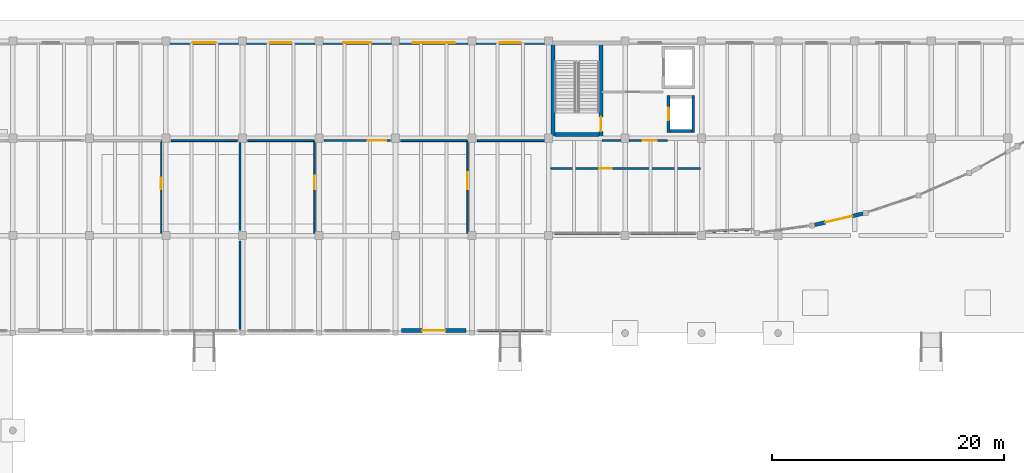
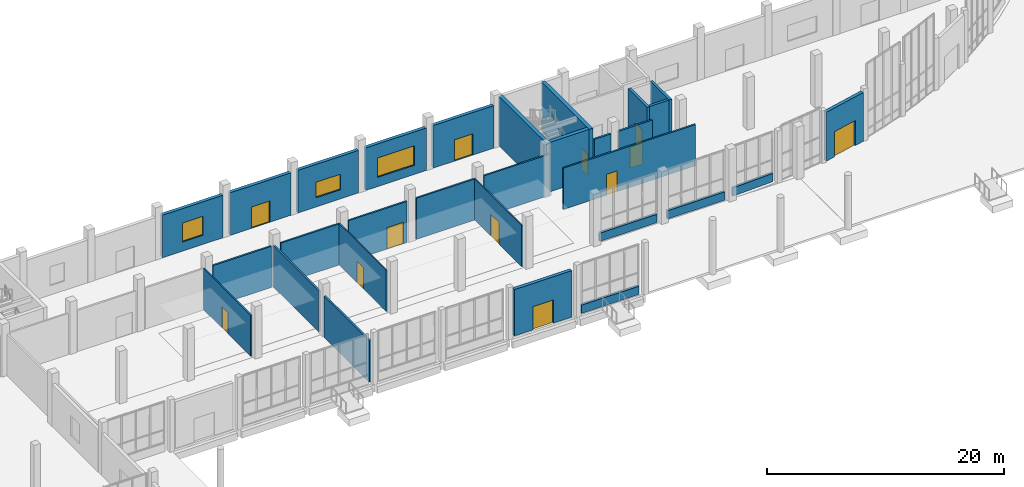
# One storey, part 44 of 64: 30 walls, 12 doors, 3 windows, 15 openings.
"""IFC4 building model written with IfcOpenShell, lengths in metres."""

from ifc_helpers import new_model, si_unit, direction, frame, frame_2d, origin, place, context, subcontext, project, spatial, rectangle, extrude, material, layer, layer_set, type_object, element, fill, save


model = new_model("IFC4")

# Units and contexts
model_context = context("Model", 3, precision=1e-05, world=origin(), true_north=direction((0.0, 1.0)))
body_context = subcontext(model_context, "Body", "Model", "MODEL_VIEW")
ifc_project = project(units=[si_unit("LENGTHUNIT", "METRE"), si_unit("AREAUNIT", "SQUARE_METRE"), si_unit("VOLUMEUNIT", "CUBIC_METRE"), si_unit("PLANEANGLEUNIT", "RADIAN"), si_unit("MASSUNIT", "GRAM", prefix="KILO")], contexts=[model_context])

# Site, building, storey
site_placement = place(None, origin())
site = spatial("IfcSite", under=ifc_project, at=site_placement, CompositionType="ELEMENT")
building_placement = place(site_placement, origin())
building = spatial("IfcBuilding", under=site, at=building_placement, Name="Qaldarim Faculty of Natural and Applied Sciences", CompositionType="ELEMENT")
storey_placement = place(building_placement, origin())
storey = spatial("IfcBuildingStorey", under=building, at=storey_placement, Name="L00", CompositionType="ELEMENT", Elevation=0.0)

# Wall, opening, door
ifc_material_1 = material(Name="Painted gypsum partition board")
ifc_layer_1 = layer(ifc_material_1, 0.1201171875)
ifc_layer_set_1 = layer_set([ifc_layer_1], Name="Painted gypsum partition board")
wall_type_1 = type_object("IfcWallType", Name="AcousticPartition-120", PredefinedType="PARTITIONING", material=ifc_layer_set_1)
wall_1_placement = place(storey_placement, frame((65.60009765625, 101.0, 0.0), z_axis=(0.0, 0.0, 1.0), x_axis=(0.0, 1.0, 0.0)))
wall_1 = element("IfcWall", 1, at=wall_1_placement, inside=storey, type_object=wall_type_1, Name="Interior partition PRT-L00-V4-SUB-1", PredefinedType="PARTITIONING", context=body_context, shape_type="SweptSolid", body=[
    extrude(rectangle(XDim=8.0, YDim=0.1201171875, at=frame_2d((4.0, 0.0))), origin(), (0.0, 0.0, 1.0), 4.25),
])
opening_1_placement = place(wall_1_placement, frame((3.800048828125, 0.0, 0.0)))
opening_1 = element("IfcOpeningElement", 2, at=opening_1_placement, cuts=wall_1, Name="Opening ID08", PredefinedType="OPENING", context=body_context, shape_type="SweptSolid", body=[
    extrude(rectangle(XDim=1.0, YDim=2.199951171875, at=frame_2d((0.5, 1.10009765625))), frame((0.0, 0.070068359375, 0.0), z_axis=(0.0, -1.0, 0.0), x_axis=(1.0, 0.0, 0.0)), (0.0, 0.0, 1.0), 0.14013671875),
])
ifc_material_2 = material(Name="Oak hardwood", Category="wood")
door_type_1 = type_object("IfcDoorType", Name="SeminarRoomDoor-1000x2200", OperationType="NOTDEFINED", PredefinedType="DOOR", material=ifc_material_2)
door_1_placement = place(opening_1_placement, origin())
door_1 = element("IfcDoor", 3, at=door_1_placement, inside=storey, type_object=door_type_1, Name="Interior door D-L00-308", OperationType="SINGLE_SWING_LEFT", OverallHeight=2.199951171875, OverallWidth=1.0, PredefinedType="DOOR", context=body_context, shape_type="SweptSolid", body=[
    extrude(rectangle(XDim=1.0, YDim=2.199951171875, at=frame_2d((0.5, 1.10009765625))), frame((0.0, 0.02490234375, 0.0), z_axis=(0.0, -1.0, 0.0), x_axis=(1.0, 0.0, 0.0)), (0.0, 0.0, 1.0), 0.050048828125),
])
fill(opening_1, door_1)

wall_2_placement = place(storey_placement, frame((78.800048828125, 101.0, 0.0), z_axis=(0.0, 0.0, 1.0), x_axis=(0.0, 1.0, 0.0)))
wall_2 = element("IfcWall", 4, at=wall_2_placement, inside=storey, type_object=wall_type_1, Name="Interior partition PRT-L00-V4-SUB-2", PredefinedType="PARTITIONING", context=body_context, shape_type="SweptSolid", body=[
    extrude(rectangle(XDim=8.0, YDim=0.1201171875, at=frame_2d((4.0, 0.0))), origin(), (0.0, 0.0, 1.0), 4.25),
])
opening_2_placement = place(wall_2_placement, frame((3.800048828125, 0.0, 0.0)))
opening_2 = element("IfcOpeningElement", 5, at=opening_2_placement, cuts=wall_2, Name="Opening ID09", PredefinedType="OPENING", context=body_context, shape_type="SweptSolid", body=[
    extrude(rectangle(XDim=1.14990234375, YDim=2.199951171875, at=frame_2d((0.574951171875, 1.10009765625))), frame((0.0, 0.070068359375, 0.0), z_axis=(0.0, -1.0, 0.0), x_axis=(1.0, 0.0, 0.0)), (0.0, 0.0, 1.0), 0.14013671875),
])
ifc_material_3 = material(Name="Architectural stainless steel 316", Category="steel")
door_type_2 = type_object("IfcDoorType", Name="CleanroomAirlockDoor-1150x2200", OperationType="NOTDEFINED", PredefinedType="DOOR", material=ifc_material_3)
door_2_placement = place(opening_2_placement, origin())
door_2 = element("IfcDoor", 6, at=door_2_placement, inside=storey, type_object=door_type_2, Name="Interior door D-L00-309", OperationType="SINGLE_SWING_LEFT", OverallHeight=2.199951171875, OverallWidth=1.14990234375, PredefinedType="DOOR", context=body_context, shape_type="SweptSolid", body=[
    extrude(rectangle(XDim=1.14990234375, YDim=2.199951171875, at=frame_2d((0.574951171875, 1.10009765625))), frame((0.0, 0.02490234375, 0.0), z_axis=(0.0, -1.0, 0.0), x_axis=(1.0, 0.0, 0.0)), (0.0, 0.0, 1.0), 0.050048828125),
])
fill(opening_2, door_2)

wall_3_placement = place(storey_placement, frame((92.0, 101.0, 0.0), z_axis=(0.0, 0.0, 1.0), x_axis=(0.0, 1.0, 0.0)))
wall_3 = element("IfcWall", 7, at=wall_3_placement, inside=storey, type_object=wall_type_1, Name="Interior partition PRT-L00-V4-SUB-3", PredefinedType="PARTITIONING", context=body_context, shape_type="SweptSolid", body=[
    extrude(rectangle(XDim=8.0, YDim=0.1201171875, at=frame_2d((4.0, 0.0))), origin(), (0.0, 0.0, 1.0), 4.25),
])
opening_3_placement = place(wall_3_placement, frame((3.800048828125, 0.0, 0.0)))
opening_3 = element("IfcOpeningElement", 8, at=opening_3_placement, cuts=wall_3, Name="Opening ID11", PredefinedType="OPENING", context=body_context, shape_type="SweptSolid", body=[
    extrude(rectangle(XDim=1.449951171875, YDim=2.25, at=frame_2d((0.72509765625, 1.125))), frame((0.0, 0.070068359375, 0.0), z_axis=(0.0, -1.0, 0.0), x_axis=(1.0, 0.0, 0.0)), (0.0, 0.0, 1.0), 0.14013671875),
])
door_type_3 = type_object("IfcDoorType", Name="InstrumentSuiteDoor-1450x2250", OperationType="NOTDEFINED", PredefinedType="DOOR", material=ifc_material_3)
door_3_placement = place(opening_3_placement, origin())
door_3 = element("IfcDoor", 9, at=door_3_placement, inside=storey, type_object=door_type_3, Name="Interior door D-L00-310", OperationType="SINGLE_SWING_LEFT", OverallHeight=2.25, OverallWidth=1.449951171875, PredefinedType="DOOR", context=body_context, shape_type="SweptSolid", body=[
    extrude(rectangle(XDim=1.449951171875, YDim=2.25, at=frame_2d((0.72509765625, 1.125))), frame((0.0, 0.02490234375, 0.0), z_axis=(0.0, -1.0, 0.0), x_axis=(1.0, 0.0, 0.0)), (0.0, 0.0, 1.0), 0.050048828125),
])
fill(opening_3, door_3)

# Wall
ifc_material_4 = material(Name="Concrete C50/60", Category="concrete")
ifc_layer_2 = layer(ifc_material_4, 0.360107421875)
ifc_layer_set_2 = layer_set([ifc_layer_2], Name="Concrete C50/60")
wall_type_2 = type_object("IfcWallType", Name="CoreShearWall-360", PredefinedType="SHEAR", material=ifc_layer_set_2)
wall_4_placement = place(storey_placement, frame((99.3701171875, 109.340087890625, 0.0), z_axis=(0.0, 0.0, 1.0), x_axis=(0.0, 1.0, 0.0)))
element("IfcWall", 10, at=wall_4_placement, inside=storey, type_object=wall_type_2, Name="Core stair ST-B1 west shear wall L00", PredefinedType="SHEAR", context=body_context, shape_type="SweptSolid", body=[
    extrude(rectangle(XDim=8.08984375, YDim=0.360107421875, at=frame_2d((4.044921875, 0.0))), origin(), (0.0, 0.0, 1.0), 5.10009765625),
])

# Wall, opening, door
wall_5_placement = place(storey_placement, frame((103.530029296875, 109.340087890625, 0.0), z_axis=(0.0, 0.0, 1.0), x_axis=(0.0, 1.0, 0.0)))
wall_5 = element("IfcWall", 11, at=wall_5_placement, inside=storey, type_object=wall_type_2, Name="Core stair ST-B1 east shear wall L00", PredefinedType="SHEAR", context=body_context, shape_type="SweptSolid", body=[
    extrude(rectangle(XDim=8.08984375, YDim=0.360107421875, at=frame_2d((4.044921875, 0.0))), origin(), (0.0, 0.0, 1.0), 5.10009765625),
])
opening_4_placement = place(wall_5_placement, frame((0.449951171875, 0.0, 0.0)))
opening_4 = element("IfcOpeningElement", 12, at=opening_4_placement, cuts=wall_5, Name="Opening ID04", PredefinedType="OPENING", context=body_context, shape_type="SweptSolid", body=[
    extrude(rectangle(XDim=1.25, YDim=2.14990234375, at=frame_2d((0.625, 1.074951171875))), frame((0.0, 0.18994140625, 0.0), z_axis=(0.0, -1.0, 0.0), x_axis=(1.0, 0.0, 0.0)), (0.0, 0.0, 1.0), 0.380126953125),
])
door_type_4 = type_object("IfcDoorType", Name="StairEnclosureFireDoor-1250x2150", OperationType="NOTDEFINED", PredefinedType="DOOR", material=ifc_material_3)
door_4_placement = place(opening_4_placement, origin())
door_4 = element("IfcDoor", 13, at=door_4_placement, inside=storey, type_object=door_type_4, Name="Protected stair ST-B1 fire door D-L00-527", OperationType="SINGLE_SWING_RIGHT", OverallHeight=2.14990234375, OverallWidth=1.25, PredefinedType="DOOR", context=body_context, shape_type="SweptSolid", body=[
    extrude(rectangle(XDim=1.25, YDim=2.14990234375, at=frame_2d((0.625, 1.074951171875))), frame((0.0, 0.02490234375, 0.0), z_axis=(0.0, -1.0, 0.0), x_axis=(1.0, 0.0, 0.0)), (0.0, 0.0, 1.0), 0.050048828125),
])
fill(opening_4, door_4)

# Wall
wall_6_placement = place(storey_placement, frame((99.550048828125, 109.52001953125, 0.0), z_axis=(0.0, 0.0, 1.0), x_axis=(1.0, 0.0, 0.0)))
element("IfcWall", 14, at=wall_6_placement, inside=storey, type_object=wall_type_2, Name="Core stair ST-B1 south shear wall L00", PredefinedType="SHEAR", context=body_context, shape_type="SweptSolid", body=[
    extrude(rectangle(XDim=3.800048828125, YDim=0.360107421875, at=frame_2d((1.89990234375, 0.0))), origin(), (0.0, 0.0, 1.0), 5.10009765625),
])

# Wall, opening, window
ifc_material_5 = material(Name="Precast concrete C40/50", Category="concrete")
ifc_layer_3 = layer(ifc_material_5, 0.320068359375)
ifc_layer_set_3 = layer_set([ifc_layer_3], Name="Precast concrete C40/50")
wall_type_3 = type_object("IfcWallType", Name="ExteriorLimestoneWall-320", PredefinedType="SOLIDWALL", material=ifc_layer_set_3)
wall_7_placement = place(storey_placement, frame((72.2548828125, 117.43994140625, 0.0), z_axis=(0.0, 0.0, 1.0), x_axis=(-1.0, 0.0, 0.0)))
wall_7 = element("IfcWall", 15, at=wall_7_placement, inside=storey, type_object=wall_type_3, Name="Exterior wall EW01 L00 N X11Y14", PredefinedType="SOLIDWALL", context=body_context, shape_type="SweptSolid", body=[
    extrude(rectangle(XDim=5.909912109375, YDim=0.320068359375, at=frame_2d((2.955078125, 0.0))), origin(), (0.0, 0.0, 1.0), 4.385009765625),
])
opening_5_placement = place(wall_7_placement, frame((1.955078125, 0.0, 0.949951171875)))
opening_5 = element("IfcOpeningElement", 16, at=opening_5_placement, cuts=wall_7, Name="Opening WN27", PredefinedType="OPENING", context=body_context, shape_type="SweptSolid", body=[
    extrude(rectangle(XDim=2.0, YDim=1.949951171875, at=frame_2d((1.0, 0.97509765625))), frame((0.0, 0.169921875, 0.0), z_axis=(0.0, -1.0, 0.0), x_axis=(1.0, 0.0, 0.0)), (0.0, 0.0, 1.0), 0.340087890625),
])
ifc_material_6 = material(Name="Insulated low-e double glazing", Category="glass")
window_type_1 = type_object("IfcWindowType", Name="GalleryWindow-2000x1950", PartitioningType="DOUBLE_PANEL_VERTICAL", PredefinedType="WINDOW", material=ifc_material_6)
window_1_placement = place(opening_5_placement, origin())
window_1 = element("IfcWindow", 17, at=window_1_placement, inside=storey, type_object=window_type_1, Name="Facade window WN27 L00 N X11Y14", OverallHeight=1.949951171875, OverallWidth=2.0, PartitioningType="SINGLE_PANEL", PredefinedType="WINDOW", context=body_context, shape_type="SweptSolid", body=[
    extrude(rectangle(XDim=2.0, YDim=1.949951171875, at=frame_2d((1.0, 0.97509765625))), frame((0.0, 0.030029296875, 0.0), z_axis=(0.0, -1.0, 0.0), x_axis=(1.0, 0.0, 0.0)), (0.0, 0.0, 1.0), 0.06005859375),
])
fill(opening_5, window_1)

# Wall, opening, door
wall_8_placement = place(storey_placement, frame((78.85498046875, 117.43994140625, 0.0), z_axis=(0.0, 0.0, 1.0), x_axis=(-1.0, 0.0, 0.0)))
wall_8 = element("IfcWall", 18, at=wall_8_placement, inside=storey, type_object=wall_type_3, Name="Exterior wall EW01 L00 N X12Y14", PredefinedType="SOLIDWALL", context=body_context, shape_type="SweptSolid", body=[
    extrude(rectangle(XDim=5.909912109375, YDim=0.320068359375, at=frame_2d((2.955078125, 0.0))), origin(), (0.0, 0.0, 1.0), 4.385009765625),
])
opening_6_placement = place(wall_8_placement, frame((2.054931640625, 0.0, 0.0)))
opening_6 = element("IfcOpeningElement", 19, at=opening_6_placement, cuts=wall_8, Name="Opening ED04", PredefinedType="OPENING", context=body_context, shape_type="SweptSolid", body=[
    extrude(rectangle(XDim=1.800048828125, YDim=2.199951171875, at=frame_2d((0.89990234375, 1.10009765625))), frame((0.0, 0.169921875, 0.0), z_axis=(0.0, -1.0, 0.0), x_axis=(1.0, 0.0, 0.0)), (0.0, 0.0, 1.0), 0.340087890625),
])
door_type_5 = type_object("IfcDoorType", Name="FinalExitDoubleDoor-1800x2200", OperationType="NOTDEFINED", PredefinedType="DOOR", material=ifc_material_3)
door_5_placement = place(opening_6_placement, frame((1.800048828125, 0.0, 0.0), z_axis=(0.0, 0.0, 1.0), x_axis=(-1.0, 0.0, 0.0)))
door_5 = element("IfcDoor", 20, at=door_5_placement, inside=storey, type_object=door_type_5, Name="Exterior entrance/exit door D-L00-013", OperationType="DOUBLE_DOOR_SINGLE_SWING", OverallHeight=2.199951171875, OverallWidth=1.800048828125, PredefinedType="DOOR", context=body_context, shape_type="SweptSolid", body=[
    extrude(rectangle(XDim=1.800048828125, YDim=2.199951171875, at=frame_2d((0.89990234375, 1.10009765625))), frame((0.0, 0.02490234375, 0.0), z_axis=(0.0, -1.0, 0.0), x_axis=(1.0, 0.0, 0.0)), (0.0, 0.0, 1.0), 0.050048828125),
])
fill(opening_6, door_5)

# Wall, opening, window
wall_9_placement = place(storey_placement, frame((85.455078125, 117.43994140625, 0.0), z_axis=(0.0, 0.0, 1.0), x_axis=(-1.0, 0.0, 0.0)))
wall_9 = element("IfcWall", 21, at=wall_9_placement, inside=storey, type_object=wall_type_3, Name="Exterior wall EW01 L00 N X13Y14", PredefinedType="SOLIDWALL", context=body_context, shape_type="SweptSolid", body=[
    extrude(rectangle(XDim=5.91015625, YDim=0.320068359375, at=frame_2d((2.955078125, 0.0))), origin(), (0.0, 0.0, 1.0), 4.385009765625),
])
opening_7_placement = place(wall_9_placement, frame((1.7548828125, 0.0, 0.949951171875)))
opening_7 = element("IfcOpeningElement", 22, at=opening_7_placement, cuts=wall_9, Name="Opening WN03", PredefinedType="OPENING", context=body_context, shape_type="SweptSolid", body=[
    extrude(rectangle(XDim=2.39990234375, YDim=1.60009765625, at=frame_2d((1.199951171875, 0.800048828125))), frame((0.0, 0.169921875, 0.0), z_axis=(0.0, -1.0, 0.0), x_axis=(1.0, 0.0, 0.0)), (0.0, 0.0, 1.0), 0.340087890625),
])
window_type_2 = type_object("IfcWindowType", Name="Window-2400x1600", PartitioningType="TRIPLE_PANEL_VERTICAL", PredefinedType="WINDOW", material=ifc_material_6)
window_2_placement = place(opening_7_placement, origin())
window_2 = element("IfcWindow", 23, at=window_2_placement, inside=storey, type_object=window_type_2, Name="Facade window WN03 L00 N X13Y14", OverallHeight=1.60009765625, OverallWidth=2.39990234375, PartitioningType="SINGLE_PANEL", PredefinedType="WINDOW", context=body_context, shape_type="SweptSolid", body=[
    extrude(rectangle(XDim=2.39990234375, YDim=1.60009765625, at=frame_2d((1.199951171875, 0.800048828125))), frame((0.0, 0.030029296875, 0.0), z_axis=(0.0, -1.0, 0.0), x_axis=(1.0, 0.0, 0.0)), (0.0, 0.0, 1.0), 0.06005859375),
])
fill(opening_7, window_2)

wall_10_placement = place(storey_placement, frame((92.054931640625, 117.43994140625, 0.0), z_axis=(0.0, 0.0, 1.0), x_axis=(-1.0, 0.0, 0.0)))
wall_10 = element("IfcWall", 24, at=wall_10_placement, inside=storey, type_object=wall_type_3, Name="Exterior wall EW01 L00 N X14Y14", PredefinedType="SOLIDWALL", context=body_context, shape_type="SweptSolid", body=[
    extrude(rectangle(XDim=5.909912109375, YDim=0.320068359375, at=frame_2d((2.955078125, 0.0))), origin(), (0.0, 0.0, 1.0), 4.385009765625),
])
opening_8_placement = place(wall_10_placement, frame((1.155029296875, 0.0, 0.949951171875)))
opening_8 = element("IfcOpeningElement", 25, at=opening_8_placement, cuts=wall_10, Name="Opening WN07", PredefinedType="OPENING", context=body_context, shape_type="SweptSolid", body=[
    extrude(rectangle(XDim=3.60009765625, YDim=2.0, at=frame_2d((1.800048828125, 1.0))), frame((0.0, 0.169921875, 0.0), z_axis=(0.0, -1.0, 0.0), x_axis=(1.0, 0.0, 0.0)), (0.0, 0.0, 1.0), 0.340087890625),
])
window_type_3 = type_object("IfcWindowType", Name="Window-3600x2000", PartitioningType="TRIPLE_PANEL_VERTICAL", PredefinedType="WINDOW", material=ifc_material_6)
window_3_placement = place(opening_8_placement, origin())
window_3 = element("IfcWindow", 26, at=window_3_placement, inside=storey, type_object=window_type_3, Name="Facade window WN07 L00 N X14Y14", OverallHeight=2.0, OverallWidth=3.60009765625, PartitioningType="SINGLE_PANEL", PredefinedType="WINDOW", context=body_context, shape_type="SweptSolid", body=[
    extrude(rectangle(XDim=3.60009765625, YDim=2.0, at=frame_2d((1.800048828125, 1.0))), frame((0.0, 0.030029296875, 0.0), z_axis=(0.0, -1.0, 0.0), x_axis=(1.0, 0.0, 0.0)), (0.0, 0.0, 1.0), 0.06005859375),
])
fill(opening_8, window_3)

# Wall, opening, door
wall_11_placement = place(storey_placement, frame((98.655029296875, 117.43994140625, 0.0), z_axis=(0.0, 0.0, 1.0), x_axis=(-1.0, 0.0, 0.0)))
wall_11 = element("IfcWall", 27, at=wall_11_placement, inside=storey, type_object=wall_type_3, Name="Exterior wall EW01 L00 N X15Y14", PredefinedType="SOLIDWALL", context=body_context, shape_type="SweptSolid", body=[
    extrude(rectangle(XDim=5.909912109375, YDim=0.320068359375, at=frame_2d((2.955078125, 0.0))), origin(), (0.0, 0.0, 1.0), 4.385009765625),
])
opening_9_placement = place(wall_11_placement, frame((2.054931640625, 0.0, 0.0)))
opening_9 = element("IfcOpeningElement", 28, at=opening_9_placement, cuts=wall_11, Name="Opening ED04", PredefinedType="OPENING", context=body_context, shape_type="SweptSolid", body=[
    extrude(rectangle(XDim=1.800048828125, YDim=2.199951171875, at=frame_2d((0.89990234375, 1.10009765625))), frame((0.0, 0.169921875, 0.0), z_axis=(0.0, -1.0, 0.0), x_axis=(1.0, 0.0, 0.0)), (0.0, 0.0, 1.0), 0.340087890625),
])
door_6_placement = place(opening_9_placement, frame((1.800048828125, 0.0, 0.0), z_axis=(0.0, 0.0, 1.0), x_axis=(-1.0, 0.0, 0.0)))
door_6 = element("IfcDoor", 29, at=door_6_placement, inside=storey, type_object=door_type_5, Name="Exterior entrance/exit door D-L00-014", OperationType="DOUBLE_DOOR_SINGLE_SWING", OverallHeight=2.199951171875, OverallWidth=1.800048828125, PredefinedType="DOOR", context=body_context, shape_type="SweptSolid", body=[
    extrude(rectangle(XDim=1.800048828125, YDim=2.199951171875, at=frame_2d((0.89990234375, 1.10009765625))), frame((0.0, 0.02490234375, 0.0), z_axis=(0.0, -1.0, 0.0), x_axis=(1.0, 0.0, 0.0)), (0.0, 0.0, 1.0), 0.050048828125),
])
fill(opening_9, door_6)

wall_12_placement = place(storey_placement, frame((121.949951171875, 101.72998046875, 0.0), z_axis=(0.0, 0.0, 1.0), x_axis=(0.97341866493, 0.229032973097, 0.0)))
wall_12 = element("IfcWall", 30, at=wall_12_placement, inside=storey, type_object=wall_type_3, Name="Arched portal entrance doorway wall 2", PredefinedType="SOLIDWALL", context=body_context, shape_type="SweptSolid", body=[
    extrude(rectangle(XDim=4.27880859375, YDim=0.320068359375, at=frame_2d((2.139404296875, 0.0))), origin(), (0.0, 0.0, 1.0), 5.0400390625),
])
opening_10_placement = place(wall_12_placement, frame((0.93994140625, 0.0, 0.0)))
opening_10 = element("IfcOpeningElement", 31, at=opening_10_placement, cuts=wall_12, Name="Opening ED02", PredefinedType="OPENING", context=body_context, shape_type="SweptSolid", body=[
    extrude(rectangle(XDim=2.39990234375, YDim=2.60009765625, at=frame_2d((1.199951171875, 1.300048828125))), frame((0.0, 0.169921875, 0.0), z_axis=(0.0, -1.0, 0.0), x_axis=(1.0, 0.0, 0.0)), (0.0, 0.0, 1.0), 0.340087890625),
])
ifc_material_7 = material(Name="Anodised aluminium AW-6063", Category="aluminium")
door_type_6 = type_object("IfcDoorType", Name="PortalGlazedEntranceDoor-2400x2600", OperationType="NOTDEFINED", PredefinedType="DOOR", material=ifc_material_7)
door_7_placement = place(opening_10_placement, frame((2.39990234375, 0.0, 0.0), z_axis=(0.0, 0.0, 1.0), x_axis=(-1.0, 0.0, 0.0)))
door_7 = element("IfcDoor", 32, at=door_7_placement, inside=storey, type_object=door_type_6, Name="Swept arched portal ceremonial entrance door D-L00-032", OperationType="DOUBLE_DOOR_SINGLE_SWING", OverallHeight=2.60009765625, OverallWidth=2.39990234375, PredefinedType="DOOR", context=body_context, shape_type="SweptSolid", body=[
    extrude(rectangle(XDim=2.39990234375, YDim=2.60009765625, at=frame_2d((1.199951171875, 1.300048828125))), frame((0.0, 0.02490234375, 0.0), z_axis=(0.0, -1.0, 0.0), x_axis=(1.0, 0.0, 0.0)), (0.0, 0.0, 1.0), 0.050048828125),
])
fill(opening_10, door_7)

wall_13_placement = place(storey_placement, frame((86.300048828125, 92.6201171875, 0.0), z_axis=(0.0, 0.0, 1.0), x_axis=(1.0, 0.0, 0.0)))
wall_13 = element("IfcWall", 33, at=wall_13_placement, inside=storey, type_object=wall_type_3, Name="Laboratories courtyard entrance bay X14", PredefinedType="SOLIDWALL", context=body_context, shape_type="SweptSolid", body=[
    extrude(rectangle(XDim=5.599853515625, YDim=0.320068359375, at=frame_2d((2.7998046875, 0.0))), origin(), (0.0, 0.0, 1.0), 4.784912109375),
])
opening_11_placement = place(wall_13_placement, frame((1.800048828125, 0.0, 0.0)))
opening_11 = element("IfcOpeningElement", 34, at=opening_11_placement, cuts=wall_13, Name="Opening ED01", PredefinedType="OPENING", context=body_context, shape_type="SweptSolid", body=[
    extrude(rectangle(XDim=2.0, YDim=2.39990234375, at=frame_2d((1.0, 1.199951171875))), frame((0.0, 0.169921875, 0.0), z_axis=(0.0, -1.0, 0.0), x_axis=(1.0, 0.0, 0.0)), (0.0, 0.0, 1.0), 0.340087890625),
])
door_type_7 = type_object("IfcDoorType", Name="MainEntranceDoubleDoor-2000x2400", OperationType="NOTDEFINED", PredefinedType="DOOR", material=ifc_material_7)
door_8_placement = place(opening_11_placement, frame((2.0, 0.0, 0.0), z_axis=(0.0, 0.0, 1.0), x_axis=(-1.0, 0.0, 0.0)))
door_8 = element("IfcDoor", 35, at=door_8_placement, inside=storey, type_object=door_type_7, Name="Laboratories courtyard entrance door D-L00-035", OperationType="DOUBLE_DOOR_SINGLE_SWING", OverallHeight=2.39990234375, OverallWidth=2.0, PredefinedType="DOOR", context=body_context, shape_type="SweptSolid", body=[
    extrude(rectangle(XDim=2.0, YDim=2.39990234375, at=frame_2d((1.0, 1.199951171875))), frame((0.0, 0.02490234375, 0.0), z_axis=(0.0, -1.0, 0.0), x_axis=(1.0, 0.0, 0.0)), (0.0, 0.0, 1.0), 0.050048828125),
])
fill(opening_11, door_8)

# Walls
ifc_material_8 = material(Name="Concrete C40/50", Category="concrete")
ifc_layer_4 = layer(ifc_material_8, 0.159912109375)
ifc_layer_set_4 = layer_set([ifc_layer_4], Name="Concrete C40/50")
wall_type_4 = type_object("IfcWallType", Name="FireCorridorWall-160", PredefinedType="PARTITIONING", material=ifc_layer_set_4)
for number, where, z_axis, x_axis, name in (
    (36, (66.449951171875, 109.0, 0.0), (0.0, 0.0, 1.0), (1.0, 0.0, 0.0), "Interior partition PRT-L00-V4-CORS-S6"),
    (37, (73.050048828125, 109.0, 0.0), (0.0, 0.0, 1.0), (1.0, 0.0, 0.0), "Interior partition PRT-L00-V4-CORS-S7"),
):
    element("IfcWall", number, at=place(storey_placement, frame(where, z_axis=z_axis, x_axis=x_axis)), inside=storey, type_object=wall_type_4, Name=name, PredefinedType="PARTITIONING", context=body_context, shape_type="SweptSolid", body=[
        extrude(rectangle(XDim=5.699951171875, YDim=0.159912109375, at=frame_2d((2.85009765625, 0.0))), origin(), (0.0, 0.0, 1.0), 4.235107421875),
    ])

# Wall, opening, door
wall_14_placement = place(storey_placement, frame((79.64990234375, 109.0, 0.0), z_axis=(0.0, 0.0, 1.0), x_axis=(1.0, 0.0, 0.0)))
wall_14 = element("IfcWall", 38, at=wall_14_placement, inside=storey, type_object=wall_type_4, Name="Interior partition PRT-L00-V4-CORS-S8", PredefinedType="PARTITIONING", context=body_context, shape_type="SweptSolid", body=[
    extrude(rectangle(XDim=5.7001953125, YDim=0.159912109375, at=frame_2d((2.85009765625, 0.0))), origin(), (0.0, 0.0, 1.0), 4.235107421875),
])
opening_12_placement = place(wall_14_placement, frame((3.75, 0.0, 0.0)))
opening_12 = element("IfcOpeningElement", 39, at=opening_12_placement, cuts=wall_14, Name="Opening ID06", PredefinedType="OPENING", context=body_context, shape_type="SweptSolid", body=[
    extrude(rectangle(XDim=1.60009765625, YDim=2.199951171875, at=frame_2d((0.800048828125, 1.10009765625))), frame((0.0, 0.08984375, 0.0), z_axis=(0.0, -1.0, 0.0), x_axis=(1.0, 0.0, 0.0)), (0.0, 0.0, 1.0), 0.179931640625),
])
door_type_8 = type_object("IfcDoorType", Name="LabEquipmentDoubleDoor-1600x2200", OperationType="NOTDEFINED", PredefinedType="DOOR", material=ifc_material_3)
door_9_placement = place(opening_12_placement, origin())
door_9 = element("IfcDoor", 40, at=door_9_placement, inside=storey, type_object=door_type_8, Name="Interior door D-L00-174", OperationType="DOUBLE_DOOR_SINGLE_SWING", OverallHeight=2.199951171875, OverallWidth=1.60009765625, PredefinedType="DOOR", context=body_context, shape_type="SweptSolid", body=[
    extrude(rectangle(XDim=1.60009765625, YDim=2.199951171875, at=frame_2d((0.800048828125, 1.10009765625))), frame((0.0, 0.02490234375, 0.0), z_axis=(0.0, -1.0, 0.0), x_axis=(1.0, 0.0, 0.0)), (0.0, 0.0, 1.0), 0.050048828125),
])
fill(opening_12, door_9)

# Walls
wall_15_placement = place(storey_placement, frame((86.25, 109.0, 0.0), z_axis=(0.0, 0.0, 1.0), x_axis=(1.0, 0.0, 0.0)))
element("IfcWall", 41, at=wall_15_placement, inside=storey, type_object=wall_type_4, Name="Interior partition PRT-L00-V4-CORS-S9", PredefinedType="PARTITIONING", context=body_context, shape_type="SweptSolid", body=[
    extrude(rectangle(XDim=5.699951171875, YDim=0.159912109375, at=frame_2d((2.85009765625, 0.0))), origin(), (0.0, 0.0, 1.0), 4.235107421875),
])
wall_16_placement = place(storey_placement, frame((92.85009765625, 109.0, 0.0), z_axis=(0.0, 0.0, 1.0), x_axis=(1.0, 0.0, 0.0)))
element("IfcWall", 42, at=wall_16_placement, inside=storey, type_object=wall_type_4, Name="Interior partition PRT-L00-V4-CORS-S10", PredefinedType="PARTITIONING", context=body_context, shape_type="SweptSolid", body=[
    extrude(rectangle(XDim=6.449951171875, YDim=0.159912109375, at=frame_2d((3.22509765625, 0.0))), origin(), (0.0, 0.0, 1.0), 4.235107421875),
])

# Wall, opening, door
wall_17_placement = place(storey_placement, frame((99.199951171875, 106.60009765625, 0.0), z_axis=(0.0, 0.0, 1.0), x_axis=(1.0, 0.0, 0.0)))
wall_17 = element("IfcWall", 43, at=wall_17_placement, inside=storey, type_object=wall_type_4, Name="Interior partition PRT-L00-V4-PRPN", PredefinedType="PARTITIONING", context=body_context, shape_type="SweptSolid", body=[
    extrude(rectangle(XDim=12.900146484375, YDim=0.159912109375, at=frame_2d((6.4501953125, 0.0))), origin(), (0.0, 0.0, 1.0), 4.25),
])
opening_13_placement = place(wall_17_placement, frame((4.199951171875, 0.0, 0.0)))
opening_13 = element("IfcOpeningElement", 44, at=opening_13_placement, cuts=wall_17, Name="Opening ID02", PredefinedType="OPENING", context=body_context, shape_type="SweptSolid", body=[
    extrude(rectangle(XDim=1.050048828125, YDim=2.14990234375, at=frame_2d((0.52490234375, 1.074951171875))), frame((0.0, 0.08984375, 0.0), z_axis=(0.0, -1.0, 0.0), x_axis=(1.0, 0.0, 0.0)), (0.0, 0.0, 1.0), 0.179931640625),
])
door_type_9 = type_object("IfcDoorType", Name="AccessibleRoomDoor-1050x2150", OperationType="NOTDEFINED", PredefinedType="DOOR", material=ifc_material_2)
door_10_placement = place(opening_13_placement, origin())
door_10 = element("IfcDoor", 45, at=door_10_placement, inside=storey, type_object=door_type_9, Name="Interior door D-L00-390", OperationType="SINGLE_SWING_LEFT", OverallHeight=2.14990234375, OverallWidth=1.050048828125, PredefinedType="DOOR", context=body_context, shape_type="SweptSolid", body=[
    extrude(rectangle(XDim=1.050048828125, YDim=2.14990234375, at=frame_2d((0.52490234375, 1.074951171875))), frame((0.0, 0.02490234375, 0.0), z_axis=(0.0, -1.0, 0.0), x_axis=(1.0, 0.0, 0.0)), (0.0, 0.0, 1.0), 0.050048828125),
])
fill(opening_13, door_10)

# Walls
ifc_layer_5 = layer(ifc_material_8, 0.179931640625)
ifc_layer_set_5 = layer_set([ifc_layer_5], Name="Concrete C40/50")
wall_type_5 = type_object("IfcWallType", Name="LabFireCompartmentWall-180", PredefinedType="SOLIDWALL", material=ifc_layer_set_5)
wall_18_placement = place(storey_placement, frame((72.39990234375, 92.699951171875, 0.0), z_axis=(0.0, 0.0, 1.0), x_axis=(0.0, 1.0, 0.0)))
element("IfcWall", 46, at=wall_18_placement, inside=storey, type_object=wall_type_5, Name="Interior partition PRT-L00-V4-CHMD-S1", PredefinedType="SOLIDWALL", context=body_context, shape_type="SweptSolid", body=[
    extrude(rectangle(XDim=7.650146484375, YDim=0.179931640625, at=frame_2d((3.8251953125, 0.0))), origin(), (0.0, 0.0, 1.0), 4.25),
])
wall_19_placement = place(storey_placement, frame((72.39990234375, 101.25, 0.0), z_axis=(0.0, 0.0, 1.0), x_axis=(0.0, 1.0, 0.0)))
element("IfcWall", 47, at=wall_19_placement, inside=storey, type_object=wall_type_5, Name="Interior partition PRT-L00-V4-CHMD-S2", PredefinedType="SOLIDWALL", context=body_context, shape_type="SweptSolid", body=[
    extrude(rectangle(XDim=7.75, YDim=0.179931640625, at=frame_2d((3.875, 0.0))), origin(), (0.0, 0.0, 1.0), 4.25),
])
wall_20_placement = place(storey_placement, frame((103.60009765625, 109.010009765625, 0.0), z_axis=(0.0, 0.0, 1.0), x_axis=(1.0, 0.0, 0.0)))
element("IfcWall", 48, at=wall_20_placement, inside=storey, type_object=wall_type_5, Name="Fire-fighting lobby south-west compartment wall Core B L00", PredefinedType="SOLIDWALL", context=body_context, shape_type="SweptSolid", body=[
    extrude(rectangle(XDim=1.64990234375, YDim=0.179931640625, at=frame_2d((0.824951171875, 0.0))), origin(), (0.0, 0.0, 1.0), 4.235107421875),
])

# Wall, opening, door
wall_21_placement = place(storey_placement, frame((105.949951171875, 109.010009765625, 0.0), z_axis=(0.0, 0.0, 1.0), x_axis=(1.0, 0.0, 0.0)))
wall_21 = element("IfcWall", 49, at=wall_21_placement, inside=storey, type_object=wall_type_5, Name="Fire-fighting lobby south compartment wall Core B L00", PredefinedType="SOLIDWALL", context=body_context, shape_type="SweptSolid", body=[
    extrude(rectangle(XDim=3.300048828125, YDim=0.179931640625, at=frame_2d((1.64990234375, 0.0))), origin(), (0.0, 0.0, 1.0), 4.235107421875),
])
opening_14_placement = place(wall_21_placement, frame((1.14990234375, 0.0, 0.0)))
opening_14 = element("IfcOpeningElement", 50, at=opening_14_placement, cuts=wall_21, Name="Opening ID04", PredefinedType="OPENING", context=body_context, shape_type="SweptSolid", body=[
    extrude(rectangle(XDim=1.25, YDim=2.14990234375, at=frame_2d((0.625, 1.074951171875))), frame((0.0, 0.099853515625, 0.0), z_axis=(0.0, -1.0, 0.0), x_axis=(1.0, 0.0, 0.0)), (0.0, 0.0, 1.0), 0.199951171875),
])
door_11_placement = place(opening_14_placement, origin())
door_11 = element("IfcDoor", 51, at=door_11_placement, inside=storey, type_object=door_type_4, Name="Fire-fighting lobby door Core B D-L00-638", OperationType="SINGLE_SWING_LEFT", OverallHeight=2.14990234375, OverallWidth=1.25, PredefinedType="DOOR", context=body_context, shape_type="SweptSolid", body=[
    extrude(rectangle(XDim=1.25, YDim=2.14990234375, at=frame_2d((0.625, 1.074951171875))), frame((0.0, 0.02490234375, 0.0), z_axis=(0.0, -1.0, 0.0), x_axis=(1.0, 0.0, 0.0)), (0.0, 0.0, 1.0), 0.050048828125),
])
fill(opening_14, door_11)

ifc_layer_6 = layer(ifc_material_8, 0.25)
ifc_layer_set_6 = layer_set([ifc_layer_6], Name="Concrete C40/50")
wall_type_6 = type_object("IfcWallType", Name="LiftShaftWall-250", PredefinedType="SHEAR", material=ifc_layer_set_6)
wall_22_placement = place(storey_placement, frame((109.324951171875, 109.699951171875, 0.0), z_axis=(0.0, 0.0, 1.0), x_axis=(0.0, 1.0, 0.0)))
wall_22 = element("IfcWall", 52, at=wall_22_placement, inside=storey, type_object=wall_type_6, Name="Lift LF-B1 front shaft wall L00", PredefinedType="SHEAR", context=body_context, shape_type="SweptSolid", body=[
    extrude(rectangle(XDim=3.199951171875, YDim=0.25, at=frame_2d((1.60009765625, 0.0))), origin(), (0.0, 0.0, 1.0), 5.10009765625),
])
opening_15_placement = place(wall_22_placement, frame((1.050048828125, 0.0, 0.0)))
opening_15 = element("IfcOpeningElement", 53, at=opening_15_placement, cuts=wall_22, Name="Opening LD01", PredefinedType="OPENING", context=body_context, shape_type="SweptSolid", body=[
    extrude(rectangle(XDim=1.10009765625, YDim=2.14990234375, at=frame_2d((0.550048828125, 1.074951171875))), frame((0.0, 0.135009765625, 0.0), z_axis=(0.0, -1.0, 0.0), x_axis=(1.0, 0.0, 0.0)), (0.0, 0.0, 1.0), 0.27001953125),
])
door_type_10 = type_object("IfcDoorType", Name="LiftLandingSlidingDoor-1100x2150", OperationType="NOTDEFINED", PredefinedType="DOOR", material=ifc_material_3)
door_12_placement = place(opening_15_placement, origin())
door_12 = element("IfcDoor", 54, at=door_12_placement, inside=storey, type_object=door_type_10, Name="Lift landing sliding door LF-B1 D-L00-623", OperationType="SLIDING_TO_LEFT", OverallHeight=2.14990234375, OverallWidth=1.10009765625, PredefinedType="DOOR", context=body_context, shape_type="SweptSolid", body=[
    extrude(rectangle(XDim=1.10009765625, YDim=2.14990234375, at=frame_2d((0.550048828125, 1.074951171875))), frame((0.0, 0.02490234375, 0.0), z_axis=(0.0, -1.0, 0.0), x_axis=(1.0, 0.0, 0.0)), (0.0, 0.0, 1.0), 0.050048828125),
])
fill(opening_15, door_12)

# Walls
wall_23_placement = place(storey_placement, frame((111.47509765625, 109.699951171875, 0.0), z_axis=(0.0, 0.0, 1.0), x_axis=(0.0, 1.0, 0.0)))
element("IfcWall", 55, at=wall_23_placement, inside=storey, type_object=wall_type_6, Name="Lift LF-B1 rear shaft wall L00", PredefinedType="SHEAR", context=body_context, shape_type="SweptSolid", body=[
    extrude(rectangle(XDim=3.199951171875, YDim=0.25, at=frame_2d((1.60009765625, 0.0))), origin(), (0.0, 0.0, 1.0), 5.10009765625),
])
wall_24_placement = place(storey_placement, frame((109.449951171875, 109.824951171875, 0.0), z_axis=(0.0, 0.0, 1.0), x_axis=(1.0, 0.0, 0.0)))
element("IfcWall", 56, at=wall_24_placement, inside=storey, type_object=wall_type_6, Name="Lift LF-B1 south shaft wall L00", PredefinedType="SHEAR", context=body_context, shape_type="SweptSolid", body=[
    extrude(rectangle(XDim=1.900146484375, YDim=0.25, at=frame_2d((0.9501953125, 0.0))), origin(), (0.0, 0.0, 1.0), 5.10009765625),
])
ifc_material_9 = material(Name="White architectural precast concrete C40/50", Category="concrete")
ifc_layer_7 = layer(ifc_material_9, 0.219970703125)
ifc_layer_set_7 = layer_set([ifc_layer_7], Name="White architectural precast concrete C40/50")
wall_type_7 = type_object("IfcWallType", Name="WhitePrecastWaveBand-220", PredefinedType="SOLIDWALL", material=ifc_layer_set_7)
for number, where, z_axis, x_axis, name in (
    (57, (92.89990234375, 92.6201171875, 0.0), (0.0, 0.0, 1.0), (1.0, 0.0, 0.0), "Laboratories ground plinth band X15"),
    (58, (99.5, 101.02001953125, 0.0), (0.0, 0.0, 1.0), (1.0, 0.0, 0.0), "Laboratories ground plinth band X16"),
):
    element("IfcWall", number, at=place(storey_placement, frame(where, z_axis=z_axis, x_axis=x_axis)), inside=storey, type_object=wall_type_7, Name=name, PredefinedType="SOLIDWALL", context=body_context, shape_type="SweptSolid", body=[
        extrude(rectangle(XDim=5.60009765625, YDim=0.219970703125, at=frame_2d((2.800048828125, 0.0))), origin(), (0.0, 0.0, 1.0), 0.85009765625),
    ])
wall_25_placement = place(storey_placement, frame((106.10009765625, 101.02001953125, 0.0), z_axis=(0.0, 0.0, 1.0), x_axis=(1.0, 0.0, 0.0)))
element("IfcWall", 59, at=wall_25_placement, inside=storey, type_object=wall_type_7, Name="Laboratories ground plinth band X17", PredefinedType="SOLIDWALL", context=body_context, shape_type="SweptSolid", body=[
    extrude(rectangle(XDim=5.599853515625, YDim=0.219970703125, at=frame_2d((2.7998046875, 0.0))), origin(), (0.0, 0.0, 1.0), 0.85009765625),
])
wall_26_placement = place(storey_placement, frame((112.550048828125, 101.1650390625, 0.0), z_axis=(0.0, 0.0, 1.0), x_axis=(0.998952546821, 0.045758159928, 0.0)))
element("IfcWall", 60, at=wall_26_placement, inside=storey, type_object=wall_type_7, Name="Curved corner ground plinth band 00", PredefinedType="SOLIDWALL", context=body_context, shape_type="SweptSolid", body=[
    extrude(rectangle(XDim=4.044189453125, YDim=0.219970703125, at=frame_2d((2.02197265625, 0.0))), origin(), (0.0, 0.0, 1.0), 0.85009765625),
])

save(model, "model.ifc")
